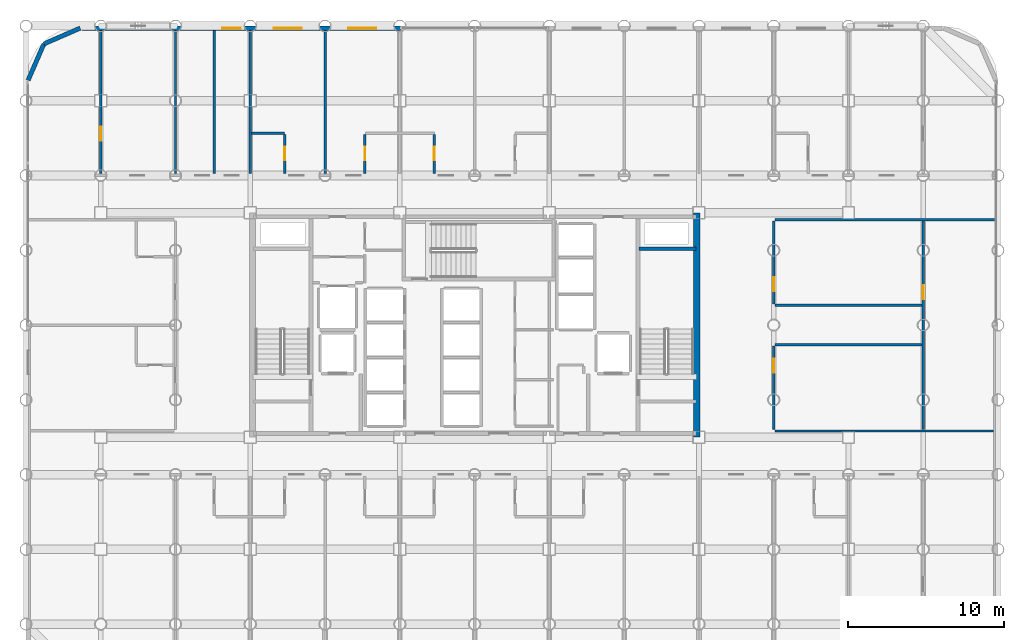
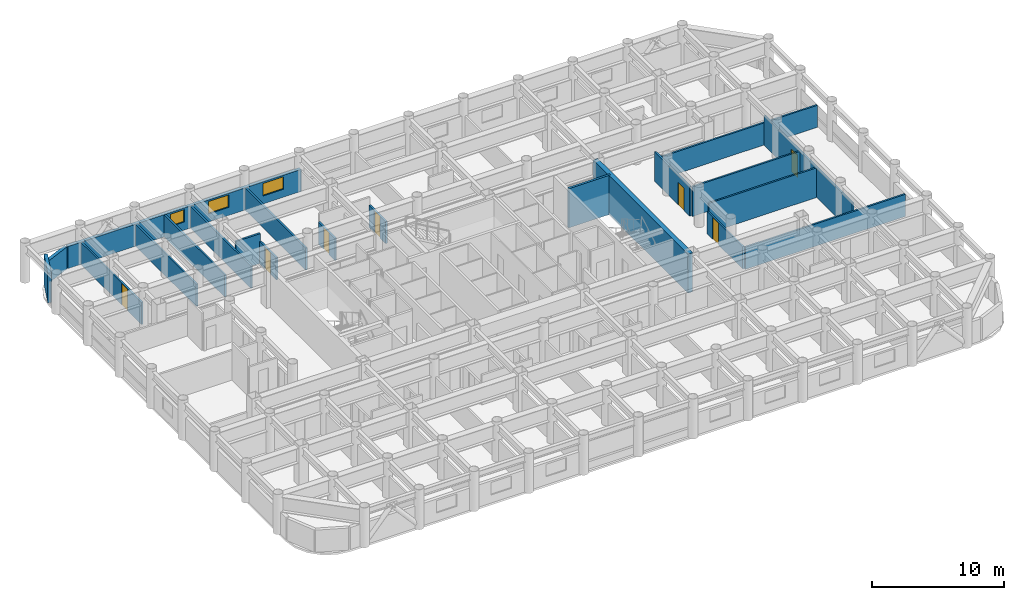
# One storey, part 18 of 21: 21 walls, 7 doors, 3 windows, 10 openings.
"""IFC4 building model written with IfcOpenShell, lengths in metres."""

from ifc_helpers import new_model, si_unit, direction, frame, frame_2d, origin, place, context, subcontext, project, spatial, rectangle, extrude, material, layer, layer_set, type_object, element, fill, save


model = new_model("IFC4")

# Units and contexts
model_context = context("Model", 3, precision=1e-05, world=origin(), true_north=direction((0.0, 1.0)))
body_context = subcontext(model_context, "Body", "Model", "MODEL_VIEW")
ifc_project = project(units=[si_unit("LENGTHUNIT", "METRE"), si_unit("AREAUNIT", "SQUARE_METRE"), si_unit("VOLUMEUNIT", "CUBIC_METRE"), si_unit("PLANEANGLEUNIT", "RADIAN"), si_unit("MASSUNIT", "GRAM", prefix="KILO")], contexts=[model_context])

# Site, building, storey
site_placement = place(None, origin())
site = spatial("IfcSite", under=ifc_project, at=site_placement, CompositionType="ELEMENT")
building_placement = place(site_placement, origin())
building = spatial("IfcBuilding", under=site, at=building_placement, Name="Kallvorn Hotel Tower", CompositionType="ELEMENT")
storey_placement = place(building_placement, frame((0.0, 0.0, 85.5)))
storey = spatial("IfcBuildingStorey", under=building, at=storey_placement, Name="L20", CompositionType="ELEMENT", Elevation=85.5)

# Walls
ifc_material_1 = material(Name="Concrete C50/60", Category="concrete")
ifc_layer_1 = layer(ifc_material_1, 0.39990234375)
ifc_layer_set_1 = layer_set([ifc_layer_1], Name="WL_CORE_400")
wall_type_1 = type_object("IfcWallType", Name="WL_CORE_400", PredefinedType="SHEAR", material=ifc_layer_set_1)
wall_1_placement = place(storey_placement, frame((14.264892578125, -7.199951171875, -0.179931640625), z_axis=(0.0, 0.0, 1.0), x_axis=(0.0, 1.0, 0.0)))
element("IfcWall", 1, at=wall_1_placement, inside=storey, type_object=wall_type_1, Name="L20 Core East Shear Wall", PredefinedType="SHEAR", context=body_context, shape_type="SweptSolid", body=[
    extrude(rectangle(XDim=14.39990234375, YDim=0.39990234375, at=frame_2d((7.199951171875, 0.0))), origin(), (0.0, 0.0, 1.0), 3.6298828125),
])
ifc_material_2 = material(Name="Fire-rated double-layer acoustic gypsum drywall EI 60")
ifc_layer_2 = layer(ifc_material_2, 0.159912109375)
ifc_layer_set_2 = layer_set([ifc_layer_2], Name="WL_DEMISE_160")
wall_type_2 = type_object("IfcWallType", Name="WL_DEMISE_160", PredefinedType="PARTITIONING", material=ifc_layer_set_2)
wall_2_placement = place(storey_placement, frame((-14.320068359375, 12.320068359375, 0.0), z_axis=(0.0, 0.0, 1.0), x_axis=(1.0, 0.0, 0.0)))
element("IfcWall", 2, at=wall_2_placement, inside=storey, type_object=wall_type_2, Name="L20 Suite 2010 Standard Twin Room Partition", PredefinedType="PARTITIONING", context=body_context, shape_type="SweptSolid", body=[
    extrude(rectangle(XDim=2.130126953125, YDim=0.159912109375, at=frame_2d((1.06494140625, 0.0))), origin(), (0.0, 0.0, 1.0), 2.75),
])
wall_3_placement = place(storey_placement, frame((-14.39990234375, 9.719970703125, 0.0), z_axis=(0.0, 0.0, 1.0), x_axis=(0.0, 1.0, 0.0)))
element("IfcWall", 3, at=wall_3_placement, inside=storey, type_object=wall_type_2, Name="L20 Suite 2010 Standard Twin Room Partition", PredefinedType="PARTITIONING", context=body_context, shape_type="SweptSolid", body=[
    extrude(rectangle(XDim=9.18994140625, YDim=0.159912109375, at=frame_2d((4.594970703125, 0.0))), origin(), (0.0, 0.0, 1.0), 2.050048828125),
])

# Wall, opening, door
wall_4_placement = place(storey_placement, frame((-12.18994140625, 9.719970703125, 0.0), z_axis=(0.0, 0.0, 1.0), x_axis=(0.0, 1.0, 0.0)))
wall_4 = element("IfcWall", 4, at=wall_4_placement, inside=storey, type_object=wall_type_2, Name="L20 Suite 2010 Standard Twin Room Partition", PredefinedType="PARTITIONING", context=body_context, shape_type="SweptSolid", body=[
    extrude(rectangle(XDim=2.51513671875, YDim=0.159912109375, at=frame_2d((1.257568359375, 0.0))), origin(), (0.0, 0.0, 1.0), 2.050048828125),
])
opening_1_placement = place(wall_4_placement, frame((0.8701171875, 0.0, 0.0)))
opening_1 = element("IfcOpeningElement", 5, at=opening_1_placement, cuts=wall_4, Name="Opening BD-IA", PredefinedType="OPENING", context=body_context, shape_type="SweptSolid", body=[
    extrude(rectangle(XDim=0.860107421875, YDim=2.02001953125, at=frame_2d((0.43017578125, 1.010009765625))), frame((0.0, 0.094970703125, 0.0), z_axis=(0.0, -1.0, 0.0), x_axis=(1.0, 0.0, 0.0)), (0.0, 0.0, 1.0), 0.18994140625),
])
ifc_material_3 = material(Name="Solid-core walnut veneer fire-rated timber door leaf", Category="wood")
door_type_1 = type_object("IfcDoorType", Name="DR_BATH_860x2020", OperationType="NOTDEFINED", PredefinedType="DOOR", material=ifc_material_3)
door_1_placement = place(opening_1_placement, origin())
door_1 = element("IfcDoor", 6, at=door_1_placement, inside=storey, type_object=door_type_1, Name="L20 Suite 2010 En-Suite Bathroom Door", OperationType="SINGLE_SWING_LEFT", OverallHeight=2.02001953125, OverallWidth=0.860107421875, PredefinedType="DOOR", context=body_context, shape_type="SweptSolid", body=[
    extrude(rectangle(XDim=0.860107421875, YDim=2.02001953125, at=frame_2d((0.43017578125, 1.010009765625))), frame((0.0, 0.02490234375, 0.0), z_axis=(0.0, -1.0, 0.0), x_axis=(1.0, 0.0, 0.0)), (0.0, 0.0, 1.0), 0.050048828125),
])
fill(opening_1, door_1)

# Wall
wall_5_placement = place(storey_placement, frame((-9.60009765625, 9.719970703125, 0.0), z_axis=(0.0, 0.0, 1.0), x_axis=(0.0, 1.0, 0.0)))
element("IfcWall", 7, at=wall_5_placement, inside=storey, type_object=wall_type_2, Name="L20 Suite 2010 Standard Twin Room Partition", PredefinedType="PARTITIONING", context=body_context, shape_type="SweptSolid", body=[
    extrude(rectangle(XDim=9.18994140625, YDim=0.159912109375, at=frame_2d((4.594970703125, 0.0))), origin(), (0.0, 0.0, 1.0), 2.050048828125),
])

# Wall, opening, door
wall_6_placement = place(storey_placement, frame((-7.0400390625, 9.719970703125, 0.0), z_axis=(0.0, 0.0, 1.0), x_axis=(0.0, 1.0, 0.0)))
wall_6 = element("IfcWall", 8, at=wall_6_placement, inside=storey, type_object=wall_type_2, Name="L20 Suite 2011 Standard Twin Room Partition", PredefinedType="PARTITIONING", context=body_context, shape_type="SweptSolid", body=[
    extrude(rectangle(XDim=2.51513671875, YDim=0.159912109375, at=frame_2d((1.257568359375, 0.0))), origin(), (0.0, 0.0, 1.0), 2.050048828125),
])
opening_2_placement = place(wall_6_placement, frame((0.8701171875, 0.0, 0.0)))
opening_2 = element("IfcOpeningElement", 9, at=opening_2_placement, cuts=wall_6, Name="Opening BD-IA", PredefinedType="OPENING", context=body_context, shape_type="SweptSolid", body=[
    extrude(rectangle(XDim=0.860107421875, YDim=2.02001953125, at=frame_2d((0.43017578125, 1.010009765625))), frame((0.0, 0.094970703125, 0.0), z_axis=(0.0, -1.0, 0.0), x_axis=(1.0, 0.0, 0.0)), (0.0, 0.0, 1.0), 0.18994140625),
])
door_2_placement = place(opening_2_placement, origin())
door_2 = element("IfcDoor", 10, at=door_2_placement, inside=storey, type_object=door_type_1, Name="L20 Suite 2011 En-Suite Bathroom Door", OperationType="SINGLE_SWING_LEFT", OverallHeight=2.02001953125, OverallWidth=0.860107421875, PredefinedType="DOOR", context=body_context, shape_type="SweptSolid", body=[
    extrude(rectangle(XDim=0.860107421875, YDim=2.02001953125, at=frame_2d((0.43017578125, 1.010009765625))), frame((0.0, 0.02490234375, 0.0), z_axis=(0.0, -1.0, 0.0), x_axis=(1.0, 0.0, 0.0)), (0.0, 0.0, 1.0), 0.050048828125),
])
fill(opening_2, door_2)

wall_7_placement = place(storey_placement, frame((-2.590087890625, 9.719970703125, 0.0), z_axis=(0.0, 0.0, 1.0), x_axis=(0.0, 1.0, 0.0)))
wall_7 = element("IfcWall", 11, at=wall_7_placement, inside=storey, type_object=wall_type_2, Name="L20 Suite 2012 Standard Twin Room Partition", PredefinedType="PARTITIONING", context=body_context, shape_type="SweptSolid", body=[
    extrude(rectangle(XDim=2.51513671875, YDim=0.159912109375, at=frame_2d((1.257568359375, 0.0))), origin(), (0.0, 0.0, 1.0), 2.050048828125),
])
opening_3_placement = place(wall_7_placement, frame((0.8701171875, 0.0, 0.0)))
opening_3 = element("IfcOpeningElement", 12, at=opening_3_placement, cuts=wall_7, Name="Opening BD-IA", PredefinedType="OPENING", context=body_context, shape_type="SweptSolid", body=[
    extrude(rectangle(XDim=0.860107421875, YDim=2.02001953125, at=frame_2d((0.43017578125, 1.010009765625))), frame((0.0, 0.094970703125, 0.0), z_axis=(0.0, -1.0, 0.0), x_axis=(1.0, 0.0, 0.0)), (0.0, 0.0, 1.0), 0.18994140625),
])
door_3_placement = place(opening_3_placement, origin())
door_3 = element("IfcDoor", 13, at=door_3_placement, inside=storey, type_object=door_type_1, Name="L20 Suite 2012 En-Suite Bathroom Door", OperationType="SINGLE_SWING_LEFT", OverallHeight=2.02001953125, OverallWidth=0.860107421875, PredefinedType="DOOR", context=body_context, shape_type="SweptSolid", body=[
    extrude(rectangle(XDim=0.860107421875, YDim=2.02001953125, at=frame_2d((0.43017578125, 1.010009765625))), frame((0.0, 0.02490234375, 0.0), z_axis=(0.0, -1.0, 0.0), x_axis=(1.0, 0.0, 0.0)), (0.0, 0.0, 1.0), 0.050048828125),
])
fill(opening_3, door_3)

# Walls
ifc_material_4 = material(Name="Precast basalt-clad insulated concrete wall C40/50", Category="masonry")
ifc_layer_3 = layer(ifc_material_4, 0.280029296875)
ifc_layer_set_3 = layer_set([ifc_layer_3], Name="WL_EXT_LOGGIA_280")
wall_type_3 = type_object("IfcWallType", Name="WL_EXT_LOGGIA_280", PredefinedType="SOLIDWALL", material=ifc_layer_set_3)
wall_8_placement = place(storey_placement, frame((-25.32080078125, 19.057861328125, 0.0), z_axis=(0.0, 0.0, 1.0), x_axis=(-0.917060872934, -0.398747232384, 0.0)))
element("IfcWall", 14, at=wall_8_placement, inside=storey, type_object=wall_type_3, Name="L20 Rounded Corner Exterior Wall NW1", PredefinedType="SOLIDWALL", context=body_context, shape_type="SweptSolid", body=[
    extrude(rectangle(XDim=2.5361328125, YDim=0.280029296875, at=frame_2d((1.26806640625, 0.0))), origin(), (0.0, 0.0, 1.0), 2.050048828125),
])
wall_9_placement = place(storey_placement, frame((-27.646484375, 18.046630859375, 0.0), z_axis=(0.0, 0.0, 1.0), x_axis=(-0.398792985289, -0.917040977756, 0.0)))
element("IfcWall", 15, at=wall_9_placement, inside=storey, type_object=wall_type_3, Name="L20 Rounded Corner Exterior Wall NW2", PredefinedType="SOLIDWALL", context=body_context, shape_type="SweptSolid", body=[
    extrude(rectangle(XDim=2.536376953125, YDim=0.280029296875, at=frame_2d((1.26806640625, 0.0))), origin(), (0.0, 0.0, 1.0), 2.75),
])

# Wall, openings, windows
wall_10_placement = place(storey_placement, frame((-25.199951171875, 19.06005859375, 0.0), z_axis=(0.0, 0.0, 1.0), x_axis=(1.0, 0.0, 0.0)))
wall_10 = element("IfcWall", 16, at=wall_10_placement, inside=storey, type_object=wall_type_3, Name="L20 Exterior Envelope Wall EW-L20-NW", PredefinedType="SOLIDWALL", context=body_context, shape_type="SweptSolid", body=[
    extrude(rectangle(XDim=20.449951171875, YDim=0.280029296875, at=frame_2d((10.22509765625, 0.0))), origin(), (0.0, 0.0, 1.0), 2.050048828125),
])
opening_4_placement = place(wall_10_placement, frame((9.0, 0.0, 0.75)))
opening_4 = element("IfcOpeningElement", 17, at=opening_4_placement, cuts=wall_10, Name="Opening W06A", PredefinedType="OPENING", context=body_context, shape_type="SweptSolid", body=[
    extrude(rectangle(XDim=1.199951171875, YDim=1.14990234375, at=frame_2d((0.60009765625, 0.574951171875))), frame((0.0, 0.155029296875, 0.0), z_axis=(0.0, -1.0, 0.0), x_axis=(1.0, 0.0, 0.0)), (0.0, 0.0, 1.0), 0.31005859375),
])
opening_5_placement = place(wall_10_placement, frame((12.300048828125, 0.0, 0.75)))
opening_5 = element("IfcOpeningElement", 18, at=opening_5_placement, cuts=wall_10, Name="Opening W04A", PredefinedType="OPENING", context=body_context, shape_type="SweptSolid", body=[
    extrude(rectangle(XDim=1.800048828125, YDim=1.14990234375, at=frame_2d((0.89990234375, 0.574951171875))), frame((0.0, 0.155029296875, 0.0), z_axis=(0.0, -1.0, 0.0), x_axis=(1.0, 0.0, 0.0)), (0.0, 0.0, 1.0), 0.31005859375),
])
opening_6_placement = place(wall_10_placement, frame((17.10009765625, 0.0, 0.75)))
opening_6 = element("IfcOpeningElement", 19, at=opening_6_placement, cuts=wall_10, Name="Opening W04A", PredefinedType="OPENING", context=body_context, shape_type="SweptSolid", body=[
    extrude(rectangle(XDim=1.800048828125, YDim=1.14990234375, at=frame_2d((0.89990234375, 0.574951171875))), frame((0.0, 0.155029296875, 0.0), z_axis=(0.0, -1.0, 0.0), x_axis=(1.0, 0.0, 0.0)), (0.0, 0.0, 1.0), 0.31005859375),
])
ifc_material_5 = material(Name="Triple-glazed low-e acoustic solar-control dark glass", Category="glass")
window_type_1 = type_object("IfcWindowType", Name="WN_HTL_1200x1150", PartitioningType="SINGLE_PANEL", PredefinedType="WINDOW", material=ifc_material_5)
window_1_placement = place(opening_4_placement, origin())
window_1 = element("IfcWindow", 20, at=window_1_placement, inside=storey, type_object=window_type_1, Name="L20 Guestroom Exterior Window 09", OverallHeight=1.14990234375, OverallWidth=1.199951171875, PartitioningType="SINGLE_PANEL", PredefinedType="WINDOW", context=body_context, shape_type="SweptSolid", body=[
    extrude(rectangle(XDim=1.199951171875, YDim=1.14990234375, at=frame_2d((0.60009765625, 0.574951171875))), frame((0.0, 0.030029296875, 0.0), z_axis=(0.0, -1.0, 0.0), x_axis=(1.0, 0.0, 0.0)), (0.0, 0.0, 1.0), 0.06005859375),
])
fill(opening_4, window_1)
ifc_material_6 = material(Name="Double-glazed low-e solar-control dark glass", Category="glass")
window_type_2 = type_object("IfcWindowType", Name="WN_HTL_1800x1150", PartitioningType="SINGLE_PANEL", PredefinedType="WINDOW", material=ifc_material_6)
window_2_placement = place(opening_5_placement, origin())
window_2 = element("IfcWindow", 21, at=window_2_placement, inside=storey, type_object=window_type_2, Name="L20 Guestroom Exterior Window 10", OverallHeight=1.14990234375, OverallWidth=1.800048828125, PartitioningType="SINGLE_PANEL", PredefinedType="WINDOW", context=body_context, shape_type="SweptSolid", body=[
    extrude(rectangle(XDim=1.800048828125, YDim=1.14990234375, at=frame_2d((0.89990234375, 0.574951171875))), frame((0.0, 0.030029296875, 0.0), z_axis=(0.0, -1.0, 0.0), x_axis=(1.0, 0.0, 0.0)), (0.0, 0.0, 1.0), 0.06005859375),
])
fill(opening_5, window_2)
window_3_placement = place(opening_6_placement, origin())
window_3 = element("IfcWindow", 22, at=window_3_placement, inside=storey, type_object=window_type_2, Name="L20 Guestroom Exterior Window 11", OverallHeight=1.14990234375, OverallWidth=1.800048828125, PartitioningType="SINGLE_PANEL", PredefinedType="WINDOW", context=body_context, shape_type="SweptSolid", body=[
    extrude(rectangle(XDim=1.800048828125, YDim=1.14990234375, at=frame_2d((0.89990234375, 0.574951171875))), frame((0.0, 0.030029296875, 0.0), z_axis=(0.0, -1.0, 0.0), x_axis=(1.0, 0.0, 0.0)), (0.0, 0.0, 1.0), 0.06005859375),
])
fill(opening_6, window_3)

# Walls
ifc_material_7 = material(Name="Concrete C40/50", Category="concrete")
ifc_layer_4 = layer(ifc_material_7, 0.199951171875)
ifc_layer_set_4 = layer_set([ifc_layer_4], Name="WL_HOIST_200")
wall_type_4 = type_object("IfcWallType", Name="WL_HOIST_200", PredefinedType="SOLIDWALL", material=ifc_layer_set_4)
wall_11_placement = place(storey_placement, frame((10.550048828125, 4.89990234375, -0.179931640625), z_axis=(0.0, 0.0, 1.0), x_axis=(1.0, 0.0, 0.0)))
element("IfcWall", 23, at=wall_11_placement, inside=storey, type_object=wall_type_4, Name="L20 Stair ST2 North Wall", PredefinedType="SOLIDWALL", context=body_context, shape_type="SweptSolid", body=[
    extrude(rectangle(XDim=3.64990234375, YDim=0.199951171875, at=frame_2d((1.824951171875, 0.0))), origin(), (0.0, 0.0, 1.0), 3.6298828125),
])
ifc_material_8 = material(Name="Fire-rated double-layer acoustic gypsum drywall EI 60")
ifc_layer_5 = layer(ifc_material_8, 0.14990234375)
ifc_layer_set_5 = layer_set([ifc_layer_5], Name="WL_PART_150")
wall_type_5 = type_object("IfcWallType", Name="WL_PART_150", PredefinedType="PARTITIONING", material=ifc_layer_set_5)
wall_12_placement = place(storey_placement, frame((19.280029296875, -6.800048828125, 0.0), z_axis=(0.0, 0.0, 1.0), x_axis=(1.0, 0.0, 0.0)))
element("IfcWall", 24, at=wall_12_placement, inside=storey, type_object=wall_type_5, Name="L20 L20 East Inner Club Bar Partition", PredefinedType="PARTITIONING", context=body_context, shape_type="SweptSolid", body=[
    extrude(rectangle(XDim=14.030029296875, YDim=0.14990234375, at=frame_2d((7.01513671875, 0.0))), origin(), (0.0, 0.0, 1.0), 2.050048828125),
])
for number, where, z_axis, x_axis, name in (
    (25, (19.280029296875, -1.260009765625, 0.0), (0.0, 0.0, 1.0), (1.0, 0.0, 0.0), "L20 L20 East Inner Club Bar Partition"),
    (26, (19.280029296875, 1.260009765625, 0.0), (0.0, 0.0, 1.0), (1.0, 0.0, 0.0), "L20 L20 East Inner Screening Salon Partition"),
):
    element("IfcWall", number, at=place(storey_placement, frame(where, z_axis=z_axis, x_axis=x_axis)), inside=storey, type_object=wall_type_5, Name=name, PredefinedType="PARTITIONING", context=body_context, shape_type="SweptSolid", body=[
        extrude(rectangle(XDim=9.43994140625, YDim=0.14990234375, at=frame_2d((4.719970703125, 0.0))), origin(), (0.0, 0.0, 1.0), 2.75),
    ])
wall_13_placement = place(storey_placement, frame((19.280029296875, 6.75, 0.0), z_axis=(0.0, 0.0, 1.0), x_axis=(1.0, 0.0, 0.0)))
element("IfcWall", 27, at=wall_13_placement, inside=storey, type_object=wall_type_5, Name="L20 L20 East Inner Screening Salon Partition", PredefinedType="PARTITIONING", context=body_context, shape_type="SweptSolid", body=[
    extrude(rectangle(XDim=14.14990234375, YDim=0.14990234375, at=frame_2d((7.074951171875, 0.0))), origin(), (0.0, 0.0, 1.0), 2.050048828125),
])

# Wall, opening, door
wall_14_placement = place(storey_placement, frame((-24.0, 9.719970703125, 0.0), z_axis=(0.0, 0.0, 1.0), x_axis=(0.0, 1.0, 0.0)))
wall_14 = element("IfcWall", 28, at=wall_14_placement, inside=storey, type_object=wall_type_5, Name="L20 L20 North-West Fitness Gymnasium A Partition", PredefinedType="PARTITIONING", context=body_context, shape_type="SweptSolid", body=[
    extrude(rectangle(XDim=9.18994140625, YDim=0.14990234375, at=frame_2d((4.594970703125, 0.0))), origin(), (0.0, 0.0, 1.0), 2.050048828125),
])
opening_7_placement = place(wall_14_placement, frame((2.10791015625, 0.0, 0.0)))
opening_7 = element("IfcOpeningElement", 29, at=opening_7_placement, cuts=wall_14, Name="Opening SVD1A", PredefinedType="OPENING", context=body_context, shape_type="SweptSolid", body=[
    extrude(rectangle(XDim=0.89990234375, YDim=2.02001953125, at=frame_2d((0.449951171875, 1.010009765625))), frame((0.0, 0.08984375, 0.0), z_axis=(0.0, -1.0, 0.0), x_axis=(1.0, 0.0, 0.0)), (0.0, 0.0, 1.0), 0.179931640625),
])
ifc_material_9 = material(Name="Galvanised painted steel fire-rated door assembly", Category="steel")
door_type_2 = type_object("IfcDoorType", Name="DR_SERV_900x2020", OperationType="NOTDEFINED", PredefinedType="DOOR", material=ifc_material_9)
door_4_placement = place(opening_7_placement, origin())
door_4 = element("IfcDoor", 30, at=door_4_placement, inside=storey, type_object=door_type_2, Name="L20 L20 North-West Fitness Gymnasium A Door", OperationType="SINGLE_SWING_RIGHT", OverallHeight=2.02001953125, OverallWidth=0.89990234375, PredefinedType="DOOR", context=body_context, shape_type="SweptSolid", body=[
    extrude(rectangle(XDim=0.89990234375, YDim=2.02001953125, at=frame_2d((0.449951171875, 1.010009765625))), frame((0.0, 0.02490234375, 0.0), z_axis=(0.0, -1.0, 0.0), x_axis=(1.0, 0.0, 0.0)), (0.0, 0.0, 1.0), 0.050048828125),
])
fill(opening_7, door_4)

# Walls
for number, where, z_axis, x_axis, name in (
    (31, (-19.199951171875, 9.719970703125, 0.0), (0.0, 0.0, 1.0), (0.0, 1.0, 0.0), "L20 Housekeeping and Linen Room Partition"),
    (32, (-16.705078125, 9.719970703125, 0.0), (0.0, 0.0, 1.0), (0.0, 1.0, 0.0), "L20 Guest Tea and Refreshment Bar Partition"),
):
    element("IfcWall", number, at=place(storey_placement, frame(where, z_axis=z_axis, x_axis=x_axis)), inside=storey, type_object=wall_type_5, Name=name, PredefinedType="PARTITIONING", context=body_context, shape_type="SweptSolid", body=[
        extrude(rectangle(XDim=9.18994140625, YDim=0.14990234375, at=frame_2d((4.594970703125, 0.0))), origin(), (0.0, 0.0, 1.0), 2.050048828125),
    ])

# Wall, opening, door
wall_15_placement = place(storey_placement, frame((19.199951171875, -6.715087890625, 0.0), z_axis=(0.0, 0.0, 1.0), x_axis=(0.0, 1.0, 0.0)))
wall_15 = element("IfcWall", 33, at=wall_15_placement, inside=storey, type_object=wall_type_5, Name="L20 L20 East Inner Club Bar Partition", PredefinedType="PARTITIONING", context=body_context, shape_type="SweptSolid", body=[
    extrude(rectangle(XDim=5.3701171875, YDim=0.14990234375, at=frame_2d((2.68505859375, 0.0))), origin(), (0.0, 0.0, 1.0), 2.050048828125),
])
opening_8_placement = place(wall_15_placement, frame((3.66015625, 0.0, 0.0)))
opening_8 = element("IfcOpeningElement", 34, at=opening_8_placement, cuts=wall_15, Name="Opening SVD1A", PredefinedType="OPENING", context=body_context, shape_type="SweptSolid", body=[
    extrude(rectangle(XDim=0.89990234375, YDim=2.02001953125, at=frame_2d((0.449951171875, 1.010009765625))), frame((0.0, 0.08984375, 0.0), z_axis=(0.0, -1.0, 0.0), x_axis=(1.0, 0.0, 0.0)), (0.0, 0.0, 1.0), 0.179931640625),
])
door_5_placement = place(opening_8_placement, origin())
door_5 = element("IfcDoor", 35, at=door_5_placement, inside=storey, type_object=door_type_2, Name="L20 L20 East Inner Club Bar Door", OperationType="SINGLE_SWING_LEFT", OverallHeight=2.02001953125, OverallWidth=0.89990234375, PredefinedType="DOOR", context=body_context, shape_type="SweptSolid", body=[
    extrude(rectangle(XDim=0.89990234375, YDim=2.02001953125, at=frame_2d((0.449951171875, 1.010009765625))), frame((0.0, 0.02490234375, 0.0), z_axis=(0.0, -1.0, 0.0), x_axis=(1.0, 0.0, 0.0)), (0.0, 0.0, 1.0), 0.050048828125),
])
fill(opening_8, door_5)

wall_16_placement = place(storey_placement, frame((19.199951171875, 1.344970703125, 0.0), z_axis=(0.0, 0.0, 1.0), x_axis=(0.0, 1.0, 0.0)))
wall_16 = element("IfcWall", 36, at=wall_16_placement, inside=storey, type_object=wall_type_5, Name="L20 L20 East Inner Screening Salon Partition", PredefinedType="PARTITIONING", context=body_context, shape_type="SweptSolid", body=[
    extrude(rectangle(XDim=5.320068359375, YDim=0.14990234375, at=frame_2d((2.66015625, 0.0))), origin(), (0.0, 0.0, 1.0), 2.75),
])
opening_9_placement = place(wall_16_placement, frame((0.81689453125, 0.0, 0.0)))
opening_9 = element("IfcOpeningElement", 37, at=opening_9_placement, cuts=wall_16, Name="Opening SVD1", PredefinedType="OPENING", context=body_context, shape_type="SweptSolid", body=[
    extrude(rectangle(XDim=0.89990234375, YDim=2.10009765625, at=frame_2d((0.449951171875, 1.050048828125))), frame((0.0, 0.08984375, 0.0), z_axis=(0.0, -1.0, 0.0), x_axis=(1.0, 0.0, 0.0)), (0.0, 0.0, 1.0), 0.179931640625),
])
ifc_material_10 = material(Name="Galvanised painted steel fire-rated door assembly", Category="steel")
door_type_3 = type_object("IfcDoorType", Name="DR_SERV_900x2100", OperationType="NOTDEFINED", PredefinedType="DOOR", material=ifc_material_10)
door_6_placement = place(opening_9_placement, origin())
door_6 = element("IfcDoor", 38, at=door_6_placement, inside=storey, type_object=door_type_3, Name="L20 L20 East Inner Screening Salon Door", OperationType="SINGLE_SWING_RIGHT", OverallHeight=2.10009765625, OverallWidth=0.89990234375, PredefinedType="DOOR", context=body_context, shape_type="SweptSolid", body=[
    extrude(rectangle(XDim=0.89990234375, YDim=2.10009765625, at=frame_2d((0.449951171875, 1.050048828125))), frame((0.0, 0.02490234375, 0.0), z_axis=(0.0, -1.0, 0.0), x_axis=(1.0, 0.0, 0.0)), (0.0, 0.0, 1.0), 0.050048828125),
])
fill(opening_9, door_6)

wall_17_placement = place(storey_placement, frame((28.800048828125, -6.715087890625, 0.0), z_axis=(0.0, 0.0, 1.0), x_axis=(0.0, 1.0, 0.0)))
wall_17 = element("IfcWall", 39, at=wall_17_placement, inside=storey, type_object=wall_type_5, Name="L20 L20 East Inner Club Bar Partition", PredefinedType="PARTITIONING", context=body_context, shape_type="SweptSolid", body=[
    extrude(rectangle(XDim=13.380126953125, YDim=0.14990234375, at=frame_2d((6.68994140625, 0.0))), origin(), (0.0, 0.0, 1.0), 2.75),
])
opening_10_placement = place(wall_17_placement, frame((8.37939453125, 0.0, 0.0)))
opening_10 = element("IfcOpeningElement", 40, at=opening_10_placement, cuts=wall_17, Name="Opening SVD1", PredefinedType="OPENING", context=body_context, shape_type="SweptSolid", body=[
    extrude(rectangle(XDim=0.89990234375, YDim=2.10009765625, at=frame_2d((0.449951171875, 1.050048828125))), frame((0.0, 0.08984375, 0.0), z_axis=(0.0, -1.0, 0.0), x_axis=(1.0, 0.0, 0.0)), (0.0, 0.0, 1.0), 0.179931640625),
])
door_7_placement = place(opening_10_placement, origin())
door_7 = element("IfcDoor", 41, at=door_7_placement, inside=storey, type_object=door_type_3, Name="L20 L20 E Cordillera Panorama Dining Salon Door", OperationType="SINGLE_SWING_LEFT", OverallHeight=2.10009765625, OverallWidth=0.89990234375, PredefinedType="DOOR", context=body_context, shape_type="SweptSolid", body=[
    extrude(rectangle(XDim=0.89990234375, YDim=2.10009765625, at=frame_2d((0.449951171875, 1.050048828125))), frame((0.0, 0.02490234375, 0.0), z_axis=(0.0, -1.0, 0.0), x_axis=(1.0, 0.0, 0.0)), (0.0, 0.0, 1.0), 0.050048828125),
])
fill(opening_10, door_7)

save(model, "model.ifc")
